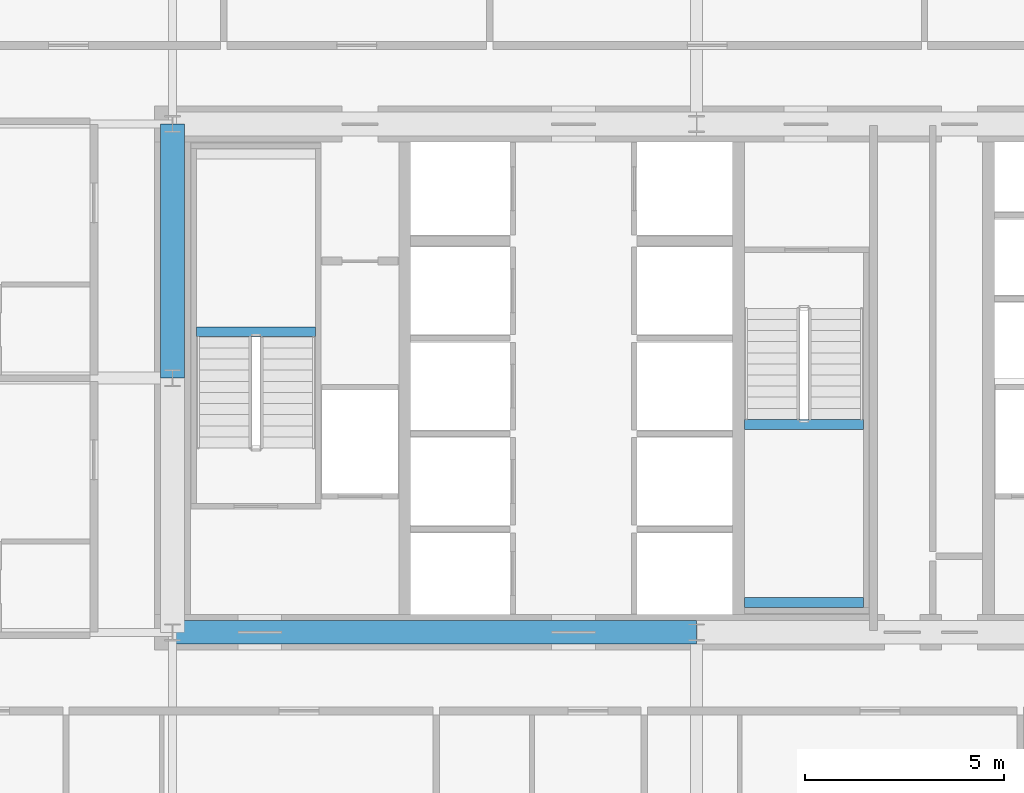
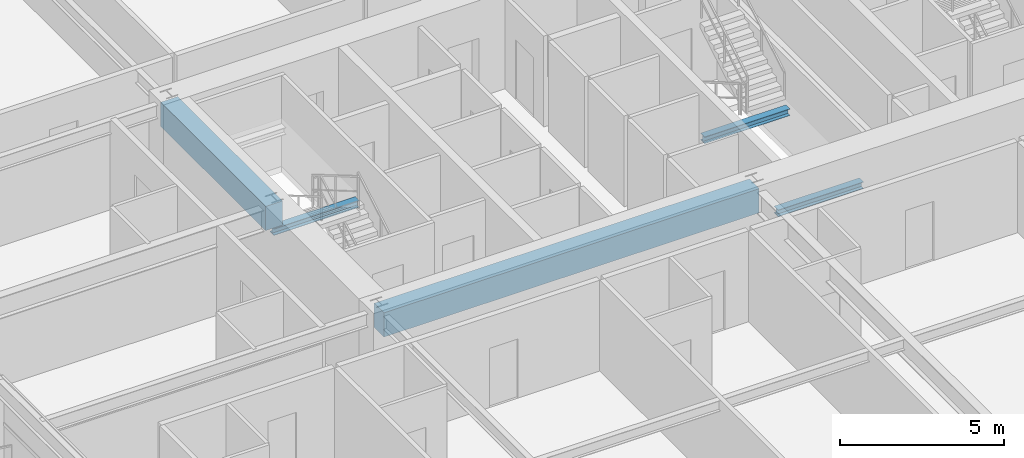
# One storey, part 14 of 46: 5 beams.
"""IFC4 building model written with IfcOpenShell, lengths in metres."""

from ifc_helpers import new_model, si_unit, direction, frame, origin, origin_2d, place, context, subcontext, project, spatial, rectangle, i_section, extrude, source, transform, mapped, material, material_profile, profile_set, type_object, element, save


model = new_model("IFC4")

# Units and contexts
model_context = context("Model", 3, precision=1e-05, world=origin(), true_north=direction((0.0, 1.0)))
body_context = subcontext(model_context, "Body", "Model", "MODEL_VIEW")
ifc_project = project(units=[si_unit("LENGTHUNIT", "METRE"), si_unit("AREAUNIT", "SQUARE_METRE"), si_unit("VOLUMEUNIT", "CUBIC_METRE"), si_unit("PLANEANGLEUNIT", "RADIAN"), si_unit("MASSUNIT", "GRAM", prefix="KILO"), si_unit("THERMODYNAMICTEMPERATUREUNIT", "KELVIN"), si_unit("POWERUNIT", "WATT")], contexts=[model_context])

# Site, building, storey
site_placement = place(None, origin())
site = spatial("IfcSite", under=ifc_project, at=site_placement, CompositionType="ELEMENT")
building_placement = place(site_placement, origin())
building = spatial("IfcBuilding", under=site, at=building_placement, Name="Yuzanri Waterfront Tower", CompositionType="ELEMENT")
storey_placement = place(building_placement, frame((0.0, 0.0, 56.800048828125)))
storey = spatial("IfcBuildingStorey", under=building, at=storey_placement, Name="L14", CompositionType="ELEMENT", Elevation=56.800048828125)

# Beams
ifc_material_1 = material(Name="Concrete C60", Category="concrete")
ifc_material_profile_1 = material_profile(ifc_material_1, rectangle(XDim=0.60009765625, YDim=0.89990234375, at=origin_2d()), Name="RC 600x900")
ifc_profile_set_1 = profile_set([ifc_material_profile_1], Name="Concrete C60")
beam_type_1 = type_object("IfcBeamType", Name="Core Coupling Lintel Concrete C60 600x900", PredefinedType="LINTEL", material=ifc_profile_set_1)
shared_shape_1 = source(origin(), body_context, "Body", "SweptSolid", [
    extrude(rectangle(XDim=0.60009765625, YDim=0.89990234375, at=origin_2d()), origin(), (0.0, 0.0, 1.0), 13.199951171875),
])
beam_1_placement = place(storey_placement, frame((23.800048828125, 19.39990234375, 2.929931640625), z_axis=(1.0, 0.0, 0.0), x_axis=(0.0, 1.0, 0.0)))
element("IfcBeam", 1, at=beam_1_placement, inside=storey, type_object=beam_type_1, Name="L14 Core Tie Beam CS1", PredefinedType="LINTEL", context=body_context, shape_type="MappedRepresentation", body=[
    mapped(shared_shape_1, transform((0.0, 0.0, 0.0), scale=1.0)),
])
shared_shape_2 = source(origin(), body_context, "Body", "SweptSolid", [
    extrude(rectangle(XDim=0.60009765625, YDim=0.89990234375, at=origin_2d()), origin(), (0.0, 0.0, 1.0), 6.39990234375),
])
beam_2_placement = place(storey_placement, frame((23.800048828125, 25.800048828125, 2.929931640625), z_axis=(0.0, 1.0, 0.0), x_axis=(-1.0, 0.0, 0.0)))
element("IfcBeam", 2, at=beam_2_placement, inside=storey, type_object=beam_type_1, Name="L14 Core Tie Beam CW2", PredefinedType="LINTEL", context=body_context, shape_type="MappedRepresentation", body=[
    mapped(shared_shape_2, transform((0.0, 0.0, 0.0), scale=1.0)),
])
ifc_material_2 = material(Name="Steel Q355B", Category="steel")
ifc_material_profile_2 = material_profile(ifc_material_2, i_section(OverallWidth=0.25, OverallDepth=0.25, WebThickness=0.009033203125, FlangeThickness=0.013916015625, at=origin_2d()), Name="HW 250x250x9x14")
ifc_profile_set_2 = profile_set([ifc_material_profile_2], Name="Steel Q355B")
beam_type_2 = type_object("IfcBeamType", Name="Stair Landing Support Beam Q355B HW 250x250", PredefinedType="BEAM", material=ifc_profile_set_2)
shared_shape_3 = source(origin(), body_context, "Body", "SweptSolid", [
    extrude(i_section(OverallWidth=0.25, OverallDepth=0.25, WebThickness=0.009033203125, FlangeThickness=0.013916015625, at=origin_2d()), origin(), (0.0, 0.0, 1.0), 3.0),
])
for number, where, z_axis, x_axis, name in (
    (3, (24.39990234375, 26.969970703125, 1.474853515625), (1.0, 0.0, 0.0), (0.0, 1.0, 0.0), "L14 Stair Landing Support Beam ST-01-L14-L1-1"),
    (4, (38.199951171875, 20.14990234375, 1.474853515625), (1.0, 0.0, 0.0), (0.0, 1.0, 0.0), "L14 Stair Landing Support Beam ST-03-L14-L1-1"),
    (5, (38.199951171875, 24.6298828125, 1.474853515625), (1.0, 0.0, 0.0), (0.0, 1.0, 0.0), "L14 Stair Landing Support Beam ST-03-L14-L1-2"),
):
    element("IfcBeam", number, at=place(storey_placement, frame(where, z_axis=z_axis, x_axis=x_axis)), inside=storey, type_object=beam_type_2, Name=name, PredefinedType="BEAM", context=body_context, shape_type="MappedRepresentation", body=[
        mapped(shared_shape_3, transform((0.0, 0.0, 0.0), scale=1.0)),
    ])

save(model, "model.ifc")
